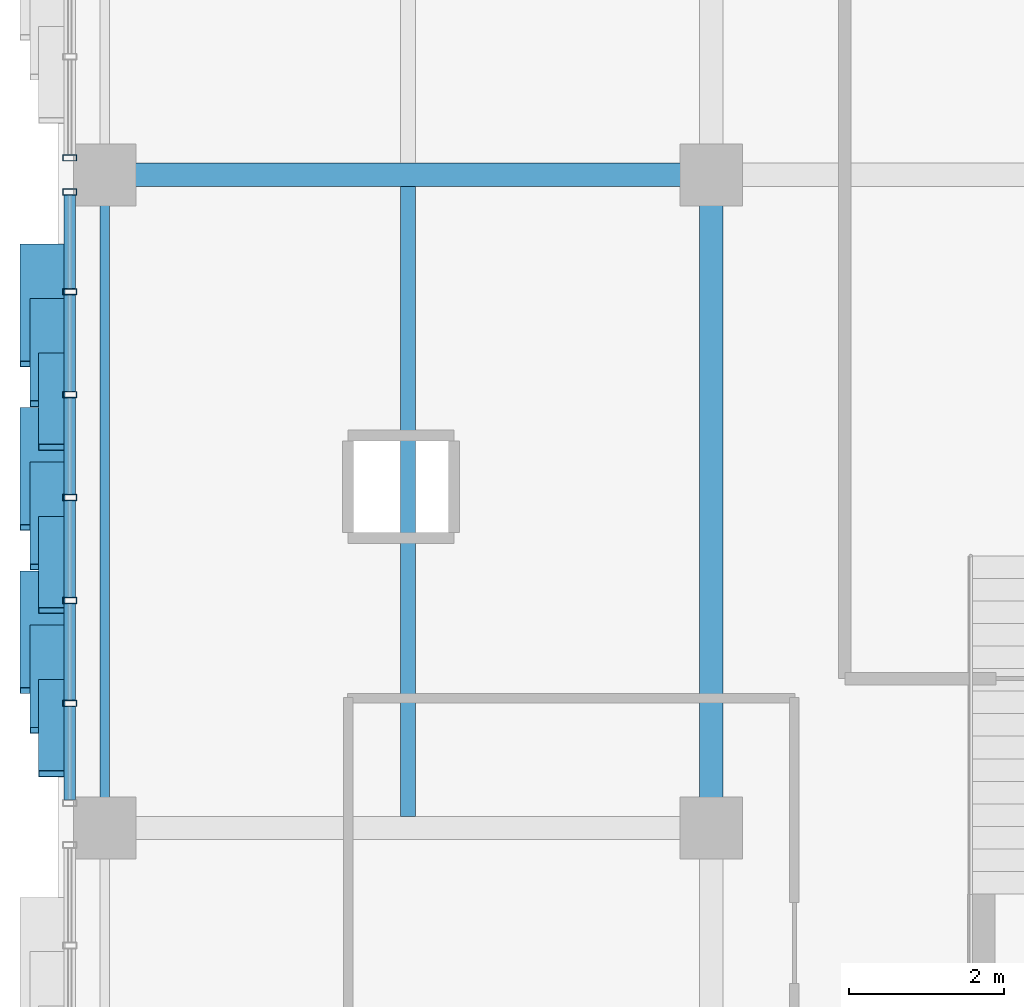
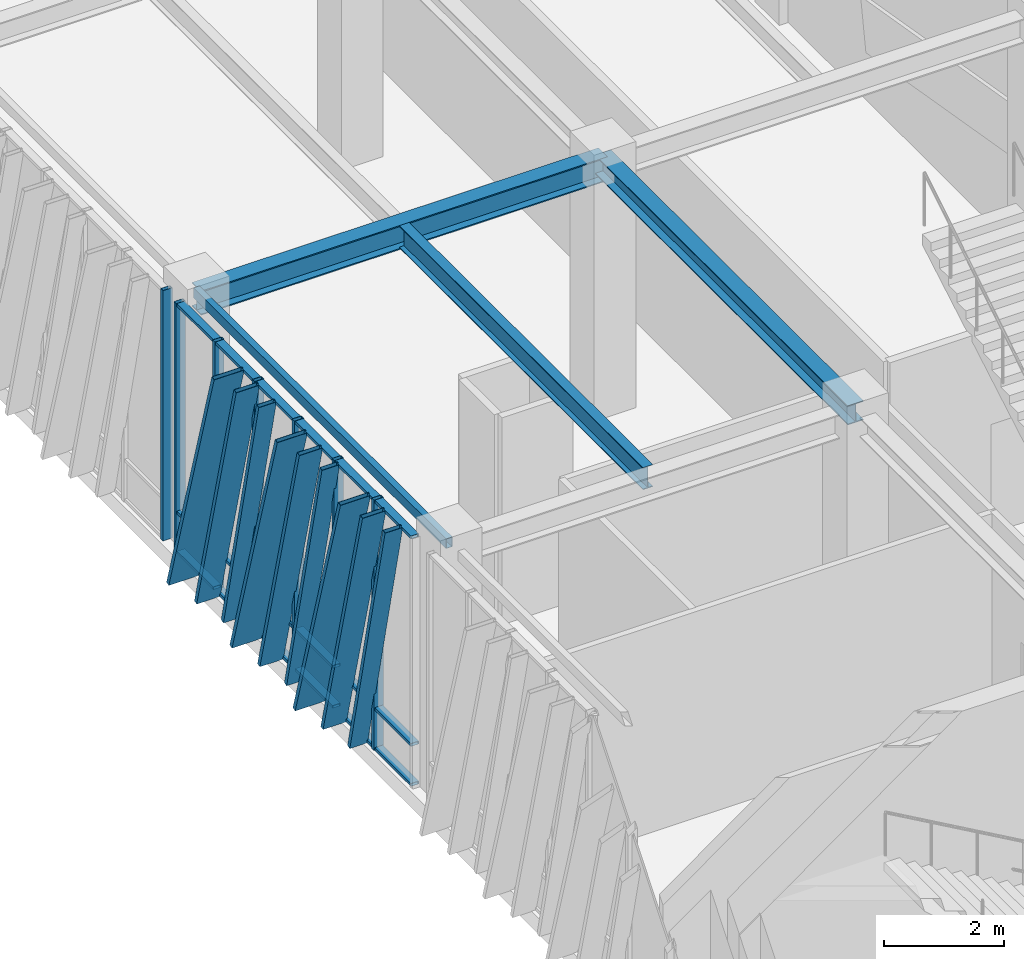
# One storey, part 35 of 122: 34 members, 4 beams, 2 elements without a shape of their own.
"""IFC4 building model written with IfcOpenShell, lengths in metres."""

from ifc_helpers import new_model, si_unit, direction, frame, origin, origin_2d, place, context, subcontext, project, spatial, hollow_rectangle, i_section, extrude, material, layer, layer_set, material_profile, profile_set, type_object, element, aggregate, save


model = new_model("IFC4")

# Units and contexts
model_context = context("Model", 3, precision=1e-05, world=origin(), true_north=direction((0.0, 1.0)))
body_context = subcontext(model_context, "Body", "Model", "MODEL_VIEW")
ifc_project = project(units=[si_unit("LENGTHUNIT", "METRE"), si_unit("AREAUNIT", "SQUARE_METRE"), si_unit("VOLUMEUNIT", "CUBIC_METRE"), si_unit("PLANEANGLEUNIT", "RADIAN"), si_unit("MASSUNIT", "GRAM", prefix="KILO")], contexts=[model_context])

# Site, building, storey
site_placement = place(None, origin())
site = spatial("IfcSite", under=ifc_project, at=site_placement, CompositionType="ELEMENT")
building_placement = place(site_placement, origin())
building = spatial("IfcBuilding", under=site, at=building_placement, Name="Zayran Congress Hotel", CompositionType="ELEMENT")
storey_placement = place(building_placement, origin())
storey = spatial("IfcBuildingStorey", under=building, at=storey_placement, Name="L00", CompositionType="ELEMENT", Elevation=0.0)

# Beams
ifc_material_1 = material(Name="Steel S355", Category="steel")
ifc_material_profile_1 = material_profile(ifc_material_1, i_section(OverallWidth=0.300048828125, OverallDepth=0.489990234375, WebThickness=0.011962890625, FlangeThickness=0.02294921875, at=origin_2d()), Name="HEA 500")
ifc_profile_set_1 = profile_set([ifc_material_profile_1], Name="Steel S355")
beam_type_1 = type_object("IfcBeamType", Name="TP-BM-05", PredefinedType="BEAM", material=ifc_profile_set_1)
beam_1_placement = place(storey_placement, frame((9.0, 92.800048828125, 4.8349609375), z_axis=(1.0, 0.0, 0.0), x_axis=(0.0, 1.0, 0.0)))
element("IfcBeam", 1, at=beam_1_placement, inside=storey, type_object=beam_type_1, Name="BM-V1-L00-0417", PredefinedType="BEAM", context=body_context, shape_type="SweptSolid", body=[
    extrude(i_section(OverallWidth=0.300048828125, OverallDepth=0.489990234375, WebThickness=0.011962890625, FlangeThickness=0.02294921875, at=origin_2d()), origin(), (0.0, 0.0, 1.0), 7.800048828125),
])
ifc_material_profile_2 = material_profile(ifc_material_1, i_section(OverallWidth=0.300048828125, OverallDepth=0.389892578125, WebThickness=0.010986328125, FlangeThickness=0.01904296875, at=origin_2d()), Name="HEA 400")
ifc_profile_set_2 = profile_set([ifc_material_profile_2], Name="Steel S355")
beam_type_2 = type_object("IfcBeamType", Name="TP-BM-06", PredefinedType="BEAM", material=ifc_profile_set_2)
beam_2_placement = place(storey_placement, frame((16.800048828125, 84.39990234375, 4.885009765625), z_axis=(0.0, 1.0, 0.0), x_axis=(-1.0, 0.0, 0.0)))
element("IfcBeam", 2, at=beam_2_placement, inside=storey, type_object=beam_type_2, Name="BM-V1-L00-0452", PredefinedType="BEAM", context=body_context, shape_type="SweptSolid", body=[
    extrude(i_section(OverallWidth=0.300048828125, OverallDepth=0.389892578125, WebThickness=0.010986328125, FlangeThickness=0.01904296875, at=origin_2d()), origin(), (0.0, 0.0, 1.0), 8.400146484375),
])
ifc_material_profile_3 = material_profile(ifc_material_1, i_section(OverallWidth=0.18994140625, OverallDepth=0.449951171875, WebThickness=0.009521484375, FlangeThickness=0.0146484375, at=origin_2d()), Name="IPE 450")
ifc_profile_set_3 = profile_set([ifc_material_profile_3], Name="Steel S355")
beam_type_3 = type_object("IfcBeamType", Name="TP-JS-02", PredefinedType="JOIST", material=ifc_profile_set_3)
beam_3_placement = place(storey_placement, frame((12.89990234375, 84.550048828125, 4.85498046875), z_axis=(0.0, 1.0, 0.0), x_axis=(-1.0, 0.0, 0.0)))
element("IfcBeam", 3, at=beam_3_placement, inside=storey, type_object=beam_type_3, Name="JST-V1-L00-0491", PredefinedType="JOIST", context=body_context, shape_type="SweptSolid", body=[
    extrude(i_section(OverallWidth=0.18994140625, OverallDepth=0.449951171875, WebThickness=0.009521484375, FlangeThickness=0.0146484375, at=origin_2d()), origin(), (0.0, 0.0, 1.0), 8.099853515625),
])
ifc_material_profile_4 = material_profile(ifc_material_1, hollow_rectangle(XDim=0.1201171875, YDim=0.199951171875, WallThickness=0.008056640625, at=origin_2d()), Name="RHS 200x120x8")
ifc_profile_set_4 = profile_set([ifc_material_profile_4], Name="Steel S355")
beam_type_4 = type_object("IfcBeamType", Name="TP-SP-02", PredefinedType="SPANDREL", material=ifc_profile_set_4)
beam_4_placement = place(storey_placement, frame((9.0, 84.39990234375, 4.97998046875), z_axis=(0.0, 1.0, 0.0), x_axis=(-1.0, 0.0, 0.0)))
element("IfcBeam", 4, at=beam_4_placement, inside=storey, type_object=beam_type_4, Name="BM-V1-L00-0447", PredefinedType="SPANDREL", context=body_context, shape_type="SweptSolid", body=[
    extrude(hollow_rectangle(XDim=0.1201171875, YDim=0.199951171875, WallThickness=0.008056640625, at=origin_2d()), origin(), (0.0, 0.0, 1.0), 8.400146484375),
])

# Curtain wall, members
ifc_material_2 = material(Name="Anodised aluminium and low-E insulated glass", Category="aluminium")
ifc_layer_1 = layer(ifc_material_2, 0.179931640625)
ifc_layer_set_1 = layer_set([ifc_layer_1], Name="Anodised aluminium and low-E insulated glass")
curtain_wall_type_1 = type_object("IfcCurtainWallType", Name="CW-V1W-L00-CW-31-7940-5080", PredefinedType="USERDEFINED", material=ifc_layer_set_1)
curtain_wall_1_placement = place(storey_placement, origin())
curtain_wall_1 = element("IfcCurtainWall", 5, at=curtain_wall_1_placement, inside=storey, type_object=curtain_wall_type_1, Name="CW-V1W-L00-2", ObjectType="CURTAIN WALL", PredefinedType="USERDEFINED")
ifc_material_3 = material(Name="Anodised aluminium framing", Category="aluminium")
ifc_material_profile_5 = material_profile(ifc_material_3, hollow_rectangle(XDim=0.080078125, YDim=0.179931640625, WallThickness=0.0048828125, at=origin_2d()), Name="RHS 180x80x5")
ifc_profile_set_5 = profile_set([ifc_material_profile_5], Name="Anodised aluminium framing")
member_type_1 = type_object("IfcMemberType", Name="TP-CWM-01", PredefinedType="MULLION", material=ifc_profile_set_5)
member_1_placement = place(storey_placement, frame((8.550048828125, 92.580078125, 0.0), z_axis=(0.0, 0.0, 1.0), x_axis=(0.0, 1.0, 0.0)))
member_1 = element("IfcMember", 6, at=member_1_placement, type_object=member_type_1, Name="CW-V1W-L00-2-M00", PredefinedType="MULLION", context=body_context, shape_type="SweptSolid", body=[
    extrude(hollow_rectangle(XDim=0.080078125, YDim=0.179931640625, WallThickness=0.0048828125, at=origin_2d()), origin(), (0.0, 0.0, 1.0), 5.080078125),
])
member_2_placement = place(storey_placement, frame((8.550048828125, 91.296630859375, 0.0), z_axis=(0.0, 0.0, 1.0), x_axis=(0.0, 1.0, 0.0)))
member_2 = element("IfcMember", 7, at=member_2_placement, type_object=member_type_1, Name="CW-V1W-L00-2-M01", PredefinedType="MULLION", context=body_context, shape_type="SweptSolid", body=[
    extrude(hollow_rectangle(XDim=0.080078125, YDim=0.179931640625, WallThickness=0.0048828125, at=origin_2d()), origin(), (0.0, 0.0, 1.0), 5.080078125),
])
member_3_placement = place(storey_placement, frame((8.550048828125, 89.973388671875, 0.0), z_axis=(0.0, 0.0, 1.0), x_axis=(0.0, 1.0, 0.0)))
member_3 = element("IfcMember", 8, at=member_3_placement, type_object=member_type_1, Name="CW-V1W-L00-2-M02", PredefinedType="MULLION", context=body_context, shape_type="SweptSolid", body=[
    extrude(hollow_rectangle(XDim=0.080078125, YDim=0.179931640625, WallThickness=0.0048828125, at=origin_2d()), origin(), (0.0, 0.0, 1.0), 5.080078125),
])
member_4_placement = place(storey_placement, frame((8.550048828125, 88.64990234375, 0.0), z_axis=(0.0, 0.0, 1.0), x_axis=(0.0, 1.0, 0.0)))
member_4 = element("IfcMember", 9, at=member_4_placement, type_object=member_type_1, Name="CW-V1W-L00-2-M03", PredefinedType="MULLION", context=body_context, shape_type="SweptSolid", body=[
    extrude(hollow_rectangle(XDim=0.080078125, YDim=0.179931640625, WallThickness=0.0048828125, at=origin_2d()), origin(), (0.0, 0.0, 1.0), 5.080078125),
])
member_5_placement = place(storey_placement, frame((8.550048828125, 87.32666015625, 0.0), z_axis=(0.0, 0.0, 1.0), x_axis=(0.0, 1.0, 0.0)))
member_5 = element("IfcMember", 10, at=member_5_placement, type_object=member_type_1, Name="CW-V1W-L00-2-M04", PredefinedType="MULLION", context=body_context, shape_type="SweptSolid", body=[
    extrude(hollow_rectangle(XDim=0.080078125, YDim=0.179931640625, WallThickness=0.0048828125, at=origin_2d()), origin(), (0.0, 0.0, 1.0), 5.080078125),
])
member_6_placement = place(storey_placement, frame((8.550048828125, 86.00341796875, 0.0), z_axis=(0.0, 0.0, 1.0), x_axis=(0.0, 1.0, 0.0)))
member_6 = element("IfcMember", 11, at=member_6_placement, type_object=member_type_1, Name="CW-V1W-L00-2-M05", PredefinedType="MULLION", context=body_context, shape_type="SweptSolid", body=[
    extrude(hollow_rectangle(XDim=0.080078125, YDim=0.179931640625, WallThickness=0.0048828125, at=origin_2d()), origin(), (0.0, 0.0, 1.0), 5.080078125),
])

# Curtain wall, member
ifc_layer_2 = layer(ifc_material_2, 0.179931640625)
ifc_layer_set_2 = layer_set([ifc_layer_2], Name="Anodised aluminium and low-E insulated glass")
curtain_wall_type_2 = type_object("IfcCurtainWallType", Name="CW-V1W-L00-CW-32-8040-5080", PredefinedType="USERDEFINED", material=ifc_layer_set_2)
curtain_wall_2_placement = place(storey_placement, origin())
curtain_wall_2 = element("IfcCurtainWall", 12, at=curtain_wall_2_placement, inside=storey, type_object=curtain_wall_type_2, Name="CW-V1W-L00-3", ObjectType="CURTAIN WALL", PredefinedType="USERDEFINED")
member_7_placement = place(storey_placement, frame((8.550048828125, 93.02001953125, 0.0), z_axis=(0.0, 0.0, 1.0), x_axis=(0.0, 1.0, 0.0)))
member_7 = element("IfcMember", 13, at=member_7_placement, type_object=member_type_1, Name="CW-V1W-L00-3-M06", PredefinedType="MULLION", context=body_context, shape_type="SweptSolid", body=[
    extrude(hollow_rectangle(XDim=0.080078125, YDim=0.179931640625, WallThickness=0.0048828125, at=origin_2d()), origin(), (0.0, 0.0, 1.0), 5.080078125),
])
aggregate(curtain_wall_2, [member_7])

# Member
ifc_material_profile_6 = material_profile(ifc_material_3, hollow_rectangle(XDim=0.06005859375, YDim=0.14990234375, WallThickness=0.00390625, at=origin_2d()), Name="RHS 150x60x4")
ifc_profile_set_6 = profile_set([ifc_material_profile_6], Name="Anodised aluminium framing")
member_type_2 = type_object("IfcMemberType", Name="TP-CWT-01", PredefinedType="USERDEFINED", material=ifc_profile_set_6)
member_8_placement = place(storey_placement, frame((8.550048828125, 92.5400390625, 0.030029296875), z_axis=(0.0, -1.0, 0.0), x_axis=(0.0, 0.0, 1.0)))
member_8 = element("IfcMember", 14, at=member_8_placement, type_object=member_type_2, Name="CW-V1W-L00-2-T00-0", ObjectType="TRANSOM", PredefinedType="USERDEFINED", context=body_context, shape_type="SweptSolid", body=[
    extrude(hollow_rectangle(XDim=0.06005859375, YDim=0.14990234375, WallThickness=0.00390625, at=origin_2d()), origin(), (0.0, 0.0, 1.0), 1.203369140625),
])

member_9_placement = place(storey_placement, frame((8.550048828125, 92.5400390625, 0.840087890625), z_axis=(0.0, -1.0, 0.0), x_axis=(0.0, 0.0, 1.0)))
member_9 = element("IfcMember", 15, at=member_9_placement, type_object=member_type_2, Name="CW-V1W-L00-2-T00-1", ObjectType="TRANSOM", PredefinedType="USERDEFINED", context=body_context, shape_type="SweptSolid", body=[
    extrude(hollow_rectangle(XDim=0.06005859375, YDim=0.14990234375, WallThickness=0.00390625, at=origin_2d()), origin(), (0.0, 0.0, 1.0), 1.203369140625),
])

member_10_placement = place(storey_placement, frame((8.550048828125, 92.5400390625, 5.050048828125), z_axis=(0.0, -1.0, 0.0), x_axis=(0.0, 0.0, 1.0)))
member_10 = element("IfcMember", 16, at=member_10_placement, type_object=member_type_2, Name="CW-V1W-L00-2-T00-2", ObjectType="TRANSOM", PredefinedType="USERDEFINED", context=body_context, shape_type="SweptSolid", body=[
    extrude(hollow_rectangle(XDim=0.06005859375, YDim=0.14990234375, WallThickness=0.00390625, at=origin_2d()), origin(), (0.0, 0.0, 1.0), 1.203369140625),
])

member_11_placement = place(storey_placement, frame((8.550048828125, 91.256591796875, 0.030029296875), z_axis=(0.0, -1.0, 0.0), x_axis=(0.0, 0.0, 1.0)))
member_11 = element("IfcMember", 17, at=member_11_placement, type_object=member_type_2, Name="CW-V1W-L00-2-T01-0", ObjectType="TRANSOM", PredefinedType="USERDEFINED", context=body_context, shape_type="SweptSolid", body=[
    extrude(hollow_rectangle(XDim=0.06005859375, YDim=0.14990234375, WallThickness=0.00390625, at=origin_2d()), origin(), (0.0, 0.0, 1.0), 1.243408203125),
])

member_12_placement = place(storey_placement, frame((8.550048828125, 91.256591796875, 0.840087890625), z_axis=(0.0, -1.0, 0.0), x_axis=(0.0, 0.0, 1.0)))
member_12 = element("IfcMember", 18, at=member_12_placement, type_object=member_type_2, Name="CW-V1W-L00-2-T01-1", ObjectType="TRANSOM", PredefinedType="USERDEFINED", context=body_context, shape_type="SweptSolid", body=[
    extrude(hollow_rectangle(XDim=0.06005859375, YDim=0.14990234375, WallThickness=0.00390625, at=origin_2d()), origin(), (0.0, 0.0, 1.0), 1.243408203125),
])

member_13_placement = place(storey_placement, frame((8.550048828125, 91.256591796875, 5.050048828125), z_axis=(0.0, -1.0, 0.0), x_axis=(0.0, 0.0, 1.0)))
member_13 = element("IfcMember", 19, at=member_13_placement, type_object=member_type_2, Name="CW-V1W-L00-2-T01-2", ObjectType="TRANSOM", PredefinedType="USERDEFINED", context=body_context, shape_type="SweptSolid", body=[
    extrude(hollow_rectangle(XDim=0.06005859375, YDim=0.14990234375, WallThickness=0.00390625, at=origin_2d()), origin(), (0.0, 0.0, 1.0), 1.243408203125),
])

member_14_placement = place(storey_placement, frame((8.550048828125, 89.933349609375, 0.030029296875), z_axis=(0.0, -1.0, 0.0), x_axis=(0.0, 0.0, 1.0)))
member_14 = element("IfcMember", 20, at=member_14_placement, type_object=member_type_2, Name="CW-V1W-L00-2-T02-0", ObjectType="TRANSOM", PredefinedType="USERDEFINED", context=body_context, shape_type="SweptSolid", body=[
    extrude(hollow_rectangle(XDim=0.06005859375, YDim=0.14990234375, WallThickness=0.00390625, at=origin_2d()), origin(), (0.0, 0.0, 1.0), 1.243408203125),
])

member_15_placement = place(storey_placement, frame((8.550048828125, 89.933349609375, 0.840087890625), z_axis=(0.0, -1.0, 0.0), x_axis=(0.0, 0.0, 1.0)))
member_15 = element("IfcMember", 21, at=member_15_placement, type_object=member_type_2, Name="CW-V1W-L00-2-T02-1", ObjectType="TRANSOM", PredefinedType="USERDEFINED", context=body_context, shape_type="SweptSolid", body=[
    extrude(hollow_rectangle(XDim=0.06005859375, YDim=0.14990234375, WallThickness=0.00390625, at=origin_2d()), origin(), (0.0, 0.0, 1.0), 1.243408203125),
])

member_16_placement = place(storey_placement, frame((8.550048828125, 89.933349609375, 5.050048828125), z_axis=(0.0, -1.0, 0.0), x_axis=(0.0, 0.0, 1.0)))
member_16 = element("IfcMember", 22, at=member_16_placement, type_object=member_type_2, Name="CW-V1W-L00-2-T02-2", ObjectType="TRANSOM", PredefinedType="USERDEFINED", context=body_context, shape_type="SweptSolid", body=[
    extrude(hollow_rectangle(XDim=0.06005859375, YDim=0.14990234375, WallThickness=0.00390625, at=origin_2d()), origin(), (0.0, 0.0, 1.0), 1.243408203125),
])

member_17_placement = place(storey_placement, frame((8.550048828125, 88.610107421875, 0.030029296875), z_axis=(0.0, -1.0, 0.0), x_axis=(0.0, 0.0, 1.0)))
member_17 = element("IfcMember", 23, at=member_17_placement, type_object=member_type_2, Name="CW-V1W-L00-2-T03-0", ObjectType="TRANSOM", PredefinedType="USERDEFINED", context=body_context, shape_type="SweptSolid", body=[
    extrude(hollow_rectangle(XDim=0.06005859375, YDim=0.14990234375, WallThickness=0.00390625, at=origin_2d()), origin(), (0.0, 0.0, 1.0), 1.243408203125),
])

member_18_placement = place(storey_placement, frame((8.550048828125, 88.610107421875, 0.840087890625), z_axis=(0.0, -1.0, 0.0), x_axis=(0.0, 0.0, 1.0)))
member_18 = element("IfcMember", 24, at=member_18_placement, type_object=member_type_2, Name="CW-V1W-L00-2-T03-1", ObjectType="TRANSOM", PredefinedType="USERDEFINED", context=body_context, shape_type="SweptSolid", body=[
    extrude(hollow_rectangle(XDim=0.06005859375, YDim=0.14990234375, WallThickness=0.00390625, at=origin_2d()), origin(), (0.0, 0.0, 1.0), 1.243408203125),
])

member_19_placement = place(storey_placement, frame((8.550048828125, 88.610107421875, 5.050048828125), z_axis=(0.0, -1.0, 0.0), x_axis=(0.0, 0.0, 1.0)))
member_19 = element("IfcMember", 25, at=member_19_placement, type_object=member_type_2, Name="CW-V1W-L00-2-T03-2", ObjectType="TRANSOM", PredefinedType="USERDEFINED", context=body_context, shape_type="SweptSolid", body=[
    extrude(hollow_rectangle(XDim=0.06005859375, YDim=0.14990234375, WallThickness=0.00390625, at=origin_2d()), origin(), (0.0, 0.0, 1.0), 1.243408203125),
])

member_20_placement = place(storey_placement, frame((8.550048828125, 87.28662109375, 0.030029296875), z_axis=(0.0, -1.0, 0.0), x_axis=(0.0, 0.0, 1.0)))
member_20 = element("IfcMember", 26, at=member_20_placement, type_object=member_type_2, Name="CW-V1W-L00-2-T04-0", ObjectType="TRANSOM", PredefinedType="USERDEFINED", context=body_context, shape_type="SweptSolid", body=[
    extrude(hollow_rectangle(XDim=0.06005859375, YDim=0.14990234375, WallThickness=0.00390625, at=origin_2d()), origin(), (0.0, 0.0, 1.0), 1.243408203125),
])

member_21_placement = place(storey_placement, frame((8.550048828125, 87.28662109375, 0.840087890625), z_axis=(0.0, -1.0, 0.0), x_axis=(0.0, 0.0, 1.0)))
member_21 = element("IfcMember", 27, at=member_21_placement, type_object=member_type_2, Name="CW-V1W-L00-2-T04-1", ObjectType="TRANSOM", PredefinedType="USERDEFINED", context=body_context, shape_type="SweptSolid", body=[
    extrude(hollow_rectangle(XDim=0.06005859375, YDim=0.14990234375, WallThickness=0.00390625, at=origin_2d()), origin(), (0.0, 0.0, 1.0), 1.243408203125),
])

member_22_placement = place(storey_placement, frame((8.550048828125, 87.28662109375, 5.050048828125), z_axis=(0.0, -1.0, 0.0), x_axis=(0.0, 0.0, 1.0)))
member_22 = element("IfcMember", 28, at=member_22_placement, type_object=member_type_2, Name="CW-V1W-L00-2-T04-2", ObjectType="TRANSOM", PredefinedType="USERDEFINED", context=body_context, shape_type="SweptSolid", body=[
    extrude(hollow_rectangle(XDim=0.06005859375, YDim=0.14990234375, WallThickness=0.00390625, at=origin_2d()), origin(), (0.0, 0.0, 1.0), 1.243408203125),
])

member_23_placement = place(storey_placement, frame((8.550048828125, 85.96337890625, 0.030029296875), z_axis=(0.0, -1.0, 0.0), x_axis=(0.0, 0.0, 1.0)))
member_23 = element("IfcMember", 29, at=member_23_placement, type_object=member_type_2, Name="CW-V1W-L00-2-T05-0", ObjectType="TRANSOM", PredefinedType="USERDEFINED", context=body_context, shape_type="SweptSolid", body=[
    extrude(hollow_rectangle(XDim=0.06005859375, YDim=0.14990234375, WallThickness=0.00390625, at=origin_2d()), origin(), (0.0, 0.0, 1.0), 1.203369140625),
])

member_24_placement = place(storey_placement, frame((8.550048828125, 85.96337890625, 0.840087890625), z_axis=(0.0, -1.0, 0.0), x_axis=(0.0, 0.0, 1.0)))
member_24 = element("IfcMember", 30, at=member_24_placement, type_object=member_type_2, Name="CW-V1W-L00-2-T05-1", ObjectType="TRANSOM", PredefinedType="USERDEFINED", context=body_context, shape_type="SweptSolid", body=[
    extrude(hollow_rectangle(XDim=0.06005859375, YDim=0.14990234375, WallThickness=0.00390625, at=origin_2d()), origin(), (0.0, 0.0, 1.0), 1.203369140625),
])

member_25_placement = place(storey_placement, frame((8.550048828125, 85.96337890625, 5.050048828125), z_axis=(0.0, -1.0, 0.0), x_axis=(0.0, 0.0, 1.0)))
member_25 = element("IfcMember", 31, at=member_25_placement, type_object=member_type_2, Name="CW-V1W-L00-2-T05-2", ObjectType="TRANSOM", PredefinedType="USERDEFINED", context=body_context, shape_type="SweptSolid", body=[
    extrude(hollow_rectangle(XDim=0.06005859375, YDim=0.14990234375, WallThickness=0.00390625, at=origin_2d()), origin(), (0.0, 0.0, 1.0), 1.203369140625),
])

ifc_material_4 = material(Name="Warm bronze anodised aluminium", Category="aluminium")
ifc_material_profile_7 = material_profile(ifc_material_4, hollow_rectangle(XDim=0.080078125, YDim=0.580078125, WallThickness=0.006103515625, at=origin_2d()), Name="RHS 580x80x6")
ifc_profile_set_7 = profile_set([ifc_material_profile_7], Name="Warm bronze anodised aluminium")
member_type_3 = type_object("IfcMemberType", Name="TP-RFN-01", PredefinedType="MULLION", material=ifc_profile_set_7)
member_26_placement = place(storey_placement, frame((8.199951171875, 91.8701171875, 0.0), z_axis=(0.0, -0.284031848834, 0.958814845968), x_axis=(0.0, 0.958814845968, 0.284031848834)))
member_26 = element("IfcMember", 32, at=member_26_placement, type_object=member_type_3, Name="Slanting Reed Mullion CW-31-01", PredefinedType="MULLION", context=body_context, shape_type="SweptSolid", body=[
    extrude(hollow_rectangle(XDim=0.080078125, YDim=0.580078125, WallThickness=0.006103515625, at=origin_2d()), origin(), (0.0, 0.0, 1.0), 5.29833984375),
])

member_27_placement = place(storey_placement, frame((8.199951171875, 89.77001953125, 0.0), z_axis=(0.0, -0.284031848834, 0.958814845968), x_axis=(0.0, 0.958814845968, 0.284031848834)))
member_27 = element("IfcMember", 33, at=member_27_placement, type_object=member_type_3, Name="Slanting Reed Mullion CW-31-04", PredefinedType="MULLION", context=body_context, shape_type="SweptSolid", body=[
    extrude(hollow_rectangle(XDim=0.080078125, YDim=0.580078125, WallThickness=0.006103515625, at=origin_2d()), origin(), (0.0, 0.0, 1.0), 5.29833984375),
])

member_28_placement = place(storey_placement, frame((8.199951171875, 87.669921875, 0.0), z_axis=(0.0, -0.283989486251, 0.958827394112), x_axis=(0.0, 0.958827394112, 0.283989486251)))
member_28 = element("IfcMember", 34, at=member_28_placement, type_object=member_type_3, Name="Slanting Reed Mullion CW-31-07", PredefinedType="MULLION", context=body_context, shape_type="SweptSolid", body=[
    extrude(hollow_rectangle(XDim=0.080078125, YDim=0.580078125, WallThickness=0.006103515625, at=origin_2d()), origin(), (0.0, 0.0, 1.0), 5.29833984375),
])

ifc_material_profile_8 = material_profile(ifc_material_4, hollow_rectangle(XDim=0.080078125, YDim=0.449951171875, WallThickness=0.006103515625, at=origin_2d()), Name="RHS 450x80x6")
ifc_profile_set_8 = profile_set([ifc_material_profile_8], Name="Warm bronze anodised aluminium")
member_type_4 = type_object("IfcMemberType", Name="TP-RFN-02", PredefinedType="MULLION", material=ifc_profile_set_8)
member_29_placement = place(storey_placement, frame((8.264892578125, 91.169921875, 0.0), z_axis=(0.0, -0.250366279854, 0.968151189594), x_axis=(0.0, 0.968151189594, 0.250366279854)))
member_29 = element("IfcMember", 35, at=member_29_placement, type_object=member_type_4, Name="Slanting Reed Mullion CW-31-02", PredefinedType="MULLION", context=body_context, shape_type="SweptSolid", body=[
    extrude(hollow_rectangle(XDim=0.080078125, YDim=0.449951171875, WallThickness=0.006103515625, at=origin_2d()), origin(), (0.0, 0.0, 1.0), 5.247314453125),
])

member_30_placement = place(storey_placement, frame((8.264892578125, 89.070068359375, 0.0), z_axis=(0.0, -0.25040989041, 0.968139910749), x_axis=(0.0, 0.968139910749, 0.25040989041)))
member_30 = element("IfcMember", 36, at=member_30_placement, type_object=member_type_4, Name="Slanting Reed Mullion CW-31-05", PredefinedType="MULLION", context=body_context, shape_type="SweptSolid", body=[
    extrude(hollow_rectangle(XDim=0.080078125, YDim=0.449951171875, WallThickness=0.006103515625, at=origin_2d()), origin(), (0.0, 0.0, 1.0), 5.247314453125),
])

member_31_placement = place(storey_placement, frame((8.264892578125, 86.969970703125, 0.0), z_axis=(0.0, -0.250366279854, 0.968151189594), x_axis=(0.0, 0.968151189594, 0.250366279854)))
member_31 = element("IfcMember", 37, at=member_31_placement, type_object=member_type_4, Name="Slanting Reed Mullion CW-31-08", PredefinedType="MULLION", context=body_context, shape_type="SweptSolid", body=[
    extrude(hollow_rectangle(XDim=0.080078125, YDim=0.449951171875, WallThickness=0.006103515625, at=origin_2d()), origin(), (0.0, 0.0, 1.0), 5.247314453125),
])

ifc_material_profile_9 = material_profile(ifc_material_4, hollow_rectangle(XDim=0.080078125, YDim=0.340087890625, WallThickness=0.006103515625, at=origin_2d()), Name="RHS 340x80x6")
ifc_profile_set_9 = profile_set([ifc_material_profile_9], Name="Warm bronze anodised aluminium")
member_type_5 = type_object("IfcMemberType", Name="TP-RFN-03", PredefinedType="MULLION", material=ifc_profile_set_9)
member_32_placement = place(storey_placement, frame((8.320068359375, 90.469970703125, 0.0), z_axis=(0.0, -0.224955263497, 0.974369093016), x_axis=(0.0, 0.974369093016, 0.224955263497)))
member_32 = element("IfcMember", 38, at=member_32_placement, type_object=member_type_5, Name="Slanting Reed Mullion CW-31-03", PredefinedType="MULLION", context=body_context, shape_type="SweptSolid", body=[
    extrude(hollow_rectangle(XDim=0.080078125, YDim=0.340087890625, WallThickness=0.006103515625, at=origin_2d()), origin(), (0.0, 0.0, 1.0), 5.213623046875),
])

member_33_placement = place(storey_placement, frame((8.320068359375, 88.3701171875, 0.0), z_axis=(0.0, -0.224955263497, 0.974369093016), x_axis=(0.0, 0.974369093016, 0.224955263497)))
member_33 = element("IfcMember", 39, at=member_33_placement, type_object=member_type_5, Name="Slanting Reed Mullion CW-31-06", PredefinedType="MULLION", context=body_context, shape_type="SweptSolid", body=[
    extrude(hollow_rectangle(XDim=0.080078125, YDim=0.340087890625, WallThickness=0.006103515625, at=origin_2d()), origin(), (0.0, 0.0, 1.0), 5.213623046875),
])

member_34_placement = place(storey_placement, frame((8.320068359375, 86.27001953125, 0.0), z_axis=(0.0, -0.224955263497, 0.974369093016), x_axis=(0.0, 0.974369093016, 0.224955263497)))
member_34 = element("IfcMember", 40, at=member_34_placement, type_object=member_type_5, Name="Slanting Reed Mullion CW-31-09", PredefinedType="MULLION", context=body_context, shape_type="SweptSolid", body=[
    extrude(hollow_rectangle(XDim=0.080078125, YDim=0.340087890625, WallThickness=0.006103515625, at=origin_2d()), origin(), (0.0, 0.0, 1.0), 5.213623046875),
])

aggregate(curtain_wall_1, [member_1, member_2, member_3, member_4, member_5, member_6, member_8, member_9, member_10, member_11, member_12, member_13, member_14, member_15, member_16, member_17, member_18, member_19, member_20, member_21, member_22, member_23, member_24, member_25, member_26, member_29, member_32, member_27, member_30, member_33, member_28, member_31, member_34])

save(model, "model.ifc")
